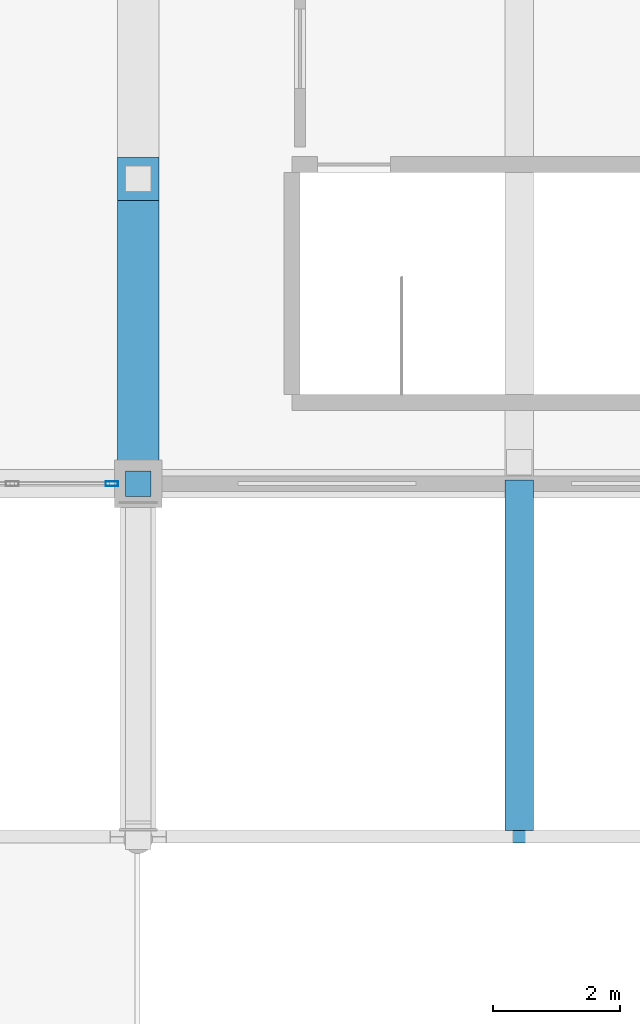
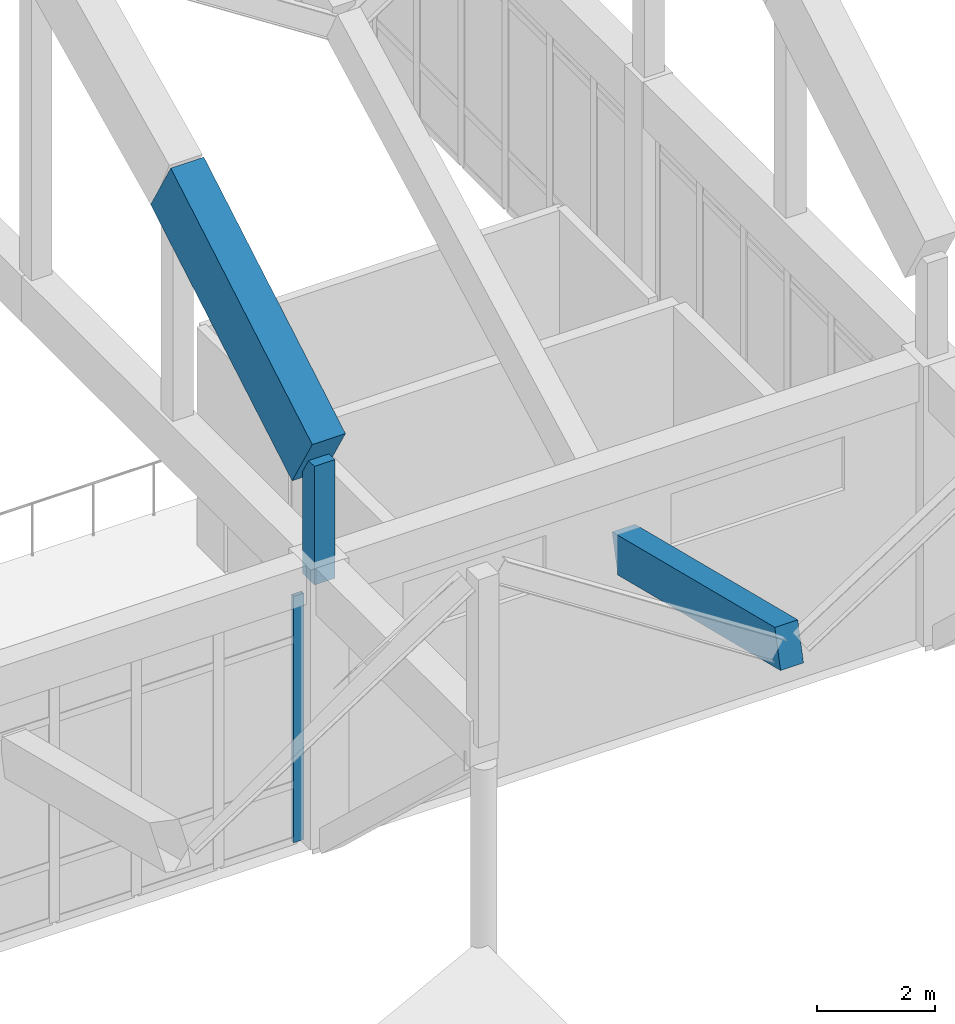
# One storey, part 59 of 236: 3 members, 1 beam, 1 element without a shape of its own.
"""IFC4 building model written with IfcOpenShell, lengths in metres."""

from ifc_helpers import new_model, si_unit, direction, frame, origin, origin_2d, place, context, subcontext, project, spatial, rectangle, hollow_rectangle, extrude, material, layer, layer_set, material_profile, profile_set, type_object, element, aggregate, save


model = new_model("IFC4")

# Units and contexts
model_context = context("Model", 3, precision=1e-05, world=origin(), true_north=direction((0.0, 1.0)))
body_context = subcontext(model_context, "Body", "Model", "MODEL_VIEW")
ifc_project = project(units=[si_unit("LENGTHUNIT", "METRE"), si_unit("AREAUNIT", "SQUARE_METRE"), si_unit("VOLUMEUNIT", "CUBIC_METRE"), si_unit("PLANEANGLEUNIT", "RADIAN"), si_unit("MASSUNIT", "GRAM", prefix="KILO")], contexts=[model_context])

# Site, building, storey
site_placement = place(None, origin())
site = spatial("IfcSite", under=ifc_project, at=site_placement, CompositionType="ELEMENT")
building_placement = place(site_placement, origin())
building = spatial("IfcBuilding", under=site, at=building_placement, Name="Pandanus Reach Market Hall", CompositionType="ELEMENT")
storey_placement = place(building_placement, frame((0.0, 0.0, 5.39990234375)))
storey = spatial("IfcBuildingStorey", under=building, at=storey_placement, Name="L01", CompositionType="ELEMENT", Elevation=5.39990234375)

# Members
ifc_material_1 = material(Name="Concrete N50 (50 MPa)", Category="concrete")
ifc_material_profile_1 = material_profile(ifc_material_1, rectangle(XDim=0.64990234375, YDim=1.35009765625, at=origin_2d()), Name="RC650x1350", Category="LoadBearing")
ifc_profile_set_1 = profile_set([ifc_material_profile_1], Name="Concrete N50 (50 MPa)")
member_type_1 = type_object("IfcMemberType", Name="AR-RC650-E", PredefinedType="CHORD", material=ifc_profile_set_1)
member_1_placement = place(storey_placement, frame((120.0, 28.800048828125, 7.780029296875), z_axis=(0.0, 0.862897305689, 0.505379302935), x_axis=(-1.0, 0.0, 0.0)))
element("IfcMember", 1, at=member_1_placement, inside=storey, type_object=member_type_1, Name="Parabolic arch top chord A7.1", PredefinedType="CHORD", context=body_context, shape_type="SweptSolid", body=[
    extrude(rectangle(XDim=0.64990234375, YDim=1.35009765625, at=origin_2d()), origin(), (0.0, 0.0, 1.0), 5.562744140625),
])
ifc_material_profile_2 = material_profile(ifc_material_1, rectangle(XDim=0.39990234375, YDim=0.39990234375, at=origin_2d()), Name="RC400x400", Category="LoadBearing")
ifc_profile_set_2 = profile_set([ifc_material_profile_2], Name="Concrete N50 (50 MPa)")
member_type_2 = type_object("IfcMemberType", Name="AR-WEB400-E", PredefinedType="STRUT", material=ifc_profile_set_2)
member_2_placement = place(storey_placement, frame((120.0, 28.800048828125, 5.3251953125), z_axis=(0.0, 0.0, 1.0), x_axis=(1.0, 0.0, 0.0)))
element("IfcMember", 2, at=member_2_placement, inside=storey, type_object=member_type_2, Name="Arch springing concrete strut A7.S", PredefinedType="STRUT", context=body_context, shape_type="SweptSolid", body=[
    extrude(rectangle(XDim=0.39990234375, YDim=0.39990234375, at=origin_2d()), origin(), (0.0, 0.0, 1.0), 2.454833984375),
])

# Beam
ifc_material_2 = material(Name="Concrete N40 (40 MPa)", Category="concrete")
ifc_material_profile_3 = material_profile(ifc_material_2, rectangle(XDim=0.449951171875, YDim=0.800048828125, at=origin_2d()), Name="RC450x800", Category="LoadBearing")
ifc_profile_set_3 = profile_set([ifc_material_profile_3], Name="Concrete N40 (40 MPa)")
beam_type = type_object("IfcBeamType", Name="BM-RC450-I", PredefinedType="BEAM", material=ifc_profile_set_3)
beam_placement = place(storey_placement, frame((126.0, 23.239990234375, 5.16015625), z_axis=(0.0, 0.97055017704, -0.240899053231), x_axis=(-1.0, 0.0, 0.0)))
element("IfcBeam", 3, at=beam_placement, inside=storey, type_object=beam_type, Name="Butterfly valley beam B7.1", PredefinedType="BEAM", context=body_context, shape_type="SweptSolid", body=[
    extrude(rectangle(XDim=0.449951171875, YDim=0.800048828125, at=origin_2d()), origin(), (0.0, 0.0, 1.0), 5.6875),
])

# Curtain wall, member
ifc_material_3 = material(Name="Bronze anodised aluminium and low-E glass", Category="aluminium")
ifc_layer = layer(ifc_material_3, 0.199951171875, Name="CW-02")
ifc_layer_set = layer_set([ifc_layer], Name="Bronze anodised aluminium and low-E glass")
curtain_wall_type = type_object("IfcCurtainWallType", Name="CW-02", PredefinedType="NOTDEFINED", material=ifc_layer_set)
curtain_wall_placement = place(storey_placement, origin())
curtain_wall = element("IfcCurtainWall", 4, at=curtain_wall_placement, inside=storey, type_object=curtain_wall_type, Name="Glazed curtain wall CW-02 CW-0008", PredefinedType="NOTDEFINED")
ifc_material_4 = material(Name="Bronze anodised aluminium", Category="aluminium")
ifc_material_profile_4 = material_profile(ifc_material_4, hollow_rectangle(XDim=0.074951171875, YDim=0.199951171875, WallThickness=0.00439453125, at=origin_2d()), Name="ALU75x200", Category="LoadBearing")
ifc_profile_set_4 = profile_set([ifc_material_profile_4], Name="Bronze anodised aluminium")
member_type_3 = type_object("IfcMemberType", Name="CW-M2", PredefinedType="MULLION", material=ifc_profile_set_4)
member_3_placement = place(storey_placement, frame((119.58740234375, 28.800048828125, 0.0), z_axis=(0.0, 0.0, 1.0), x_axis=(0.0, 1.0, 0.0)))
member_3 = element("IfcMember", 5, at=member_3_placement, type_object=member_type_3, Name="CW-02 mullion 8", PredefinedType="MULLION", context=body_context, shape_type="SweptSolid", body=[
    extrude(hollow_rectangle(XDim=0.074951171875, YDim=0.199951171875, WallThickness=0.00439453125, at=origin_2d()), origin(), (0.0, 0.0, 1.0), 5.10009765625),
])
aggregate(curtain_wall, [member_3])

save(model, "model.ifc")
